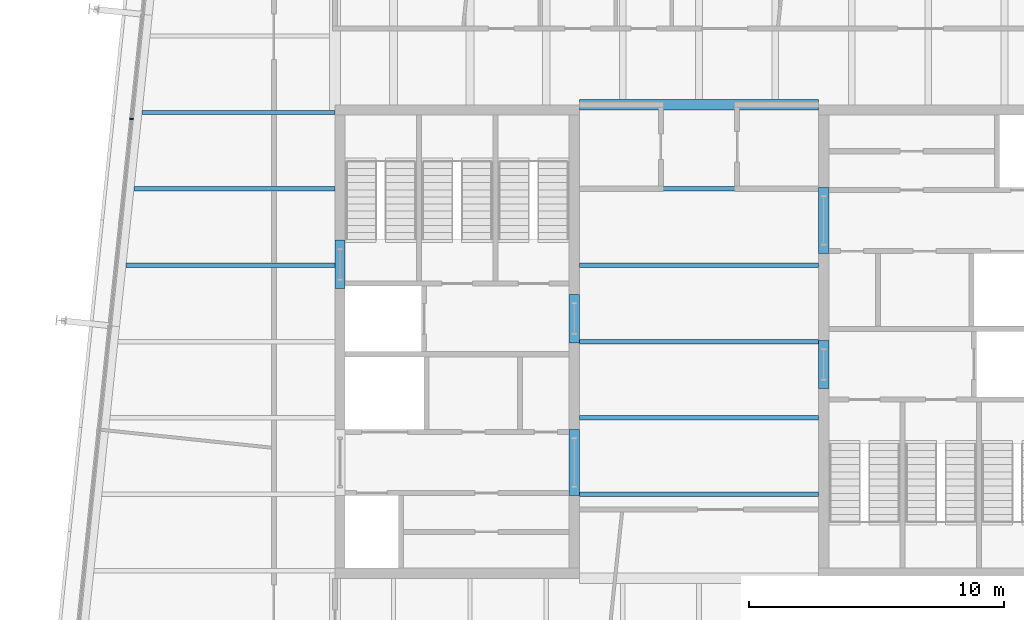
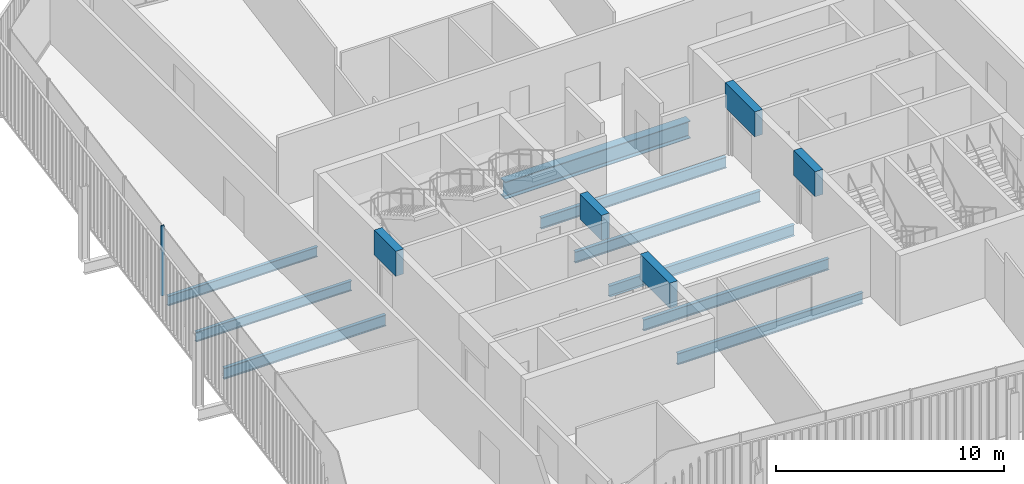
# One storey, part 8 of 20: 14 beams, 1 member, 1 element without a shape of its own.
"""IFC4 building model written with IfcOpenShell, lengths in metres."""

from ifc_helpers import new_model, si_unit, direction, frame, origin, origin_2d, place, context, subcontext, project, spatial, rectangle, i_section, extrude, material, layer, layer_set, material_profile, profile_set, type_object, element, aggregate, save


model = new_model("IFC4")

# Units and contexts
model_context = context("Model", 3, precision=1e-05, world=origin(), true_north=direction((0.0, 1.0)))
body_context = subcontext(model_context, "Body", "Model", "MODEL_VIEW")
ifc_project = project(units=[si_unit("LENGTHUNIT", "METRE"), si_unit("AREAUNIT", "SQUARE_METRE"), si_unit("VOLUMEUNIT", "CUBIC_METRE"), si_unit("PLANEANGLEUNIT", "RADIAN"), si_unit("MASSUNIT", "GRAM", prefix="KILO")], contexts=[model_context])

# Site, building, storey
site_placement = place(None, origin())
site = spatial("IfcSite", under=ifc_project, at=site_placement, CompositionType="ELEMENT")
building_placement = place(site_placement, origin())
building = spatial("IfcBuilding", under=site, at=building_placement, Name="Millrace Tower", CompositionType="ELEMENT")
storey_placement = place(building_placement, frame((0.0, 0.0, 303.300048828125)))
storey = spatial("IfcBuildingStorey", under=building, at=storey_placement, Name="L70", CompositionType="ELEMENT", Elevation=303.300048828125)

# Curtain wall, member
ifc_material_1 = material(Name="Aluminium and glass", Category="aluminium")
ifc_layer = layer(ifc_material_1, 0.14990234375)
ifc_layer_set = layer_set([ifc_layer], Name="Aluminium and glass")
curtain_wall_type = type_object("IfcCurtainWallType", Name="CW-1 office vision curtain wall", PredefinedType="NOTDEFINED", material=ifc_layer_set)
curtain_wall_placement = place(storey_placement, origin())
curtain_wall = element("IfcCurtainWall", 1, at=curtain_wall_placement, inside=storey, type_object=curtain_wall_type, Name="Curtain wall E-F08 L70", PredefinedType="NOTDEFINED")
ifc_material_2 = material(Name="Aluminium", Category="aluminium")
ifc_material_profile_1 = material_profile(ifc_material_2, rectangle(XDim=0.06494140625, YDim=0.14990234375, at=origin_2d()))
ifc_profile_set_1 = profile_set([ifc_material_profile_1], Name="Aluminium")
member_type = type_object("IfcMemberType", Name="CW-1 office vision curtain wall mullion", PredefinedType="MULLION", material=ifc_profile_set_1)
member_placement = place(storey_placement, frame((-22.2890625, 8.742431640625, 0.139892578125), z_axis=(0.0, 0.0, 1.0), x_axis=(-0.104528455196, -0.994521896217, 0.0)))
member = element("IfcMember", 2, at=member_placement, type_object=member_type, Name="CW1 mullion E-F08.5", PredefinedType="MULLION", context=body_context, shape_type="SweptSolid", body=[
    extrude(rectangle(XDim=0.06494140625, YDim=0.14990234375, at=origin_2d()), origin(), (0.0, 0.0, 1.0), 3.760009765625),
])
aggregate(curtain_wall, [member])

# Beams
ifc_material_3 = material(Name="Concrete C60", Category="concrete")
ifc_material_profile_2 = material_profile(ifc_material_3, rectangle(XDim=0.39990234375, YDim=1.340087890625, at=origin_2d()))
ifc_profile_set_2 = profile_set([ifc_material_profile_2], Name="Concrete C60")
beam_type_1 = type_object("IfcBeamType", Name="Coupling beam 400 x 1340 Concrete C60, 1300 opening", PredefinedType="BEAM", material=ifc_profile_set_2)
beam_1_placement = place(storey_placement, frame((-14.10009765625, 2.080078125, 3.070068359375), z_axis=(0.0, 1.0, 0.0), x_axis=(-1.0, 0.0, 0.0)))
element("IfcBeam", 3, at=beam_1_placement, inside=storey, type_object=beam_type_1, Name="Coupling beam W L70", PredefinedType="BEAM", context=body_context, shape_type="SweptSolid", body=[
    extrude(rectangle(XDim=0.39990234375, YDim=1.340087890625, at=origin_2d()), origin(), (0.0, 0.0, 1.0), 1.89990234375),
])
for number, where, z_axis, x_axis, name in (
    (4, (-4.89990234375, -0.050048828125, 3.070068359375), (0.0, 1.0, 0.0), (-1.0, 0.0, 0.0), "Coupling beam W L70"),
    (5, (4.89990234375, 0.050048828125, 3.070068359375), (0.0, -1.0, 0.0), (1.0, 0.0, 0.0), "Coupling beam E L70"),
):
    element("IfcBeam", number, at=place(storey_placement, frame(where, z_axis=z_axis, x_axis=x_axis)), inside=storey, type_object=beam_type_1, Name=name, PredefinedType="BEAM", context=body_context, shape_type="SweptSolid", body=[
        extrude(rectangle(XDim=0.39990234375, YDim=1.340087890625, at=origin_2d()), origin(), (0.0, 0.0, 1.0), 1.900146484375),
    ])
ifc_material_4 = material(Name="Concrete C60", Category="concrete")
ifc_material_profile_3 = material_profile(ifc_material_4, rectangle(XDim=0.39990234375, YDim=1.340087890625, at=origin_2d()))
ifc_profile_set_3 = profile_set([ifc_material_profile_3], Name="Concrete C60")
beam_type_2 = type_object("IfcBeamType", Name="Coupling beam 400 x 1340 Concrete C60, 2000 opening", PredefinedType="BEAM", material=ifc_profile_set_3)
for number, where, z_axis, x_axis, name in (
    (6, (-4.89990234375, -6.050048828125, 3.070068359375), (0.0, 1.0, 0.0), (-1.0, 0.0, 0.0), "Coupling beam W L70"),
    (7, (4.89990234375, 6.050048828125, 3.070068359375), (0.0, -1.0, 0.0), (1.0, 0.0, 0.0), "Coupling beam E L70"),
):
    element("IfcBeam", number, at=place(storey_placement, frame(where, z_axis=z_axis, x_axis=x_axis)), inside=storey, type_object=beam_type_2, Name=name, PredefinedType="BEAM", context=body_context, shape_type="SweptSolid", body=[
        extrude(rectangle(XDim=0.39990234375, YDim=1.340087890625, at=origin_2d()), origin(), (0.0, 0.0, 1.0), 2.60009765625),
    ])
ifc_material_5 = material(Name="Steel ASTM A992 Grade 50", Category="steel")
ifc_material_profile_4 = material_profile(ifc_material_5, i_section(OverallWidth=0.1650390625, OverallDepth=0.52587890625, WebThickness=0.0087890625, FlangeThickness=0.011474609375, FilletRadius=0.0126953125, at=origin_2d()))
ifc_profile_set_4 = profile_set([ifc_material_profile_4], Name="Steel ASTM A992 Grade 50")
beam_type_3 = type_object("IfcBeamType", Name="Floor beam W21x44", PredefinedType="JOIST", material=ifc_profile_set_4)
beam_2_placement = place(storey_placement, frame((-22.19287109375, 6.0, -0.4228515625), z_axis=(1.0, 0.0, 0.0), x_axis=(0.0, 1.0, 0.0)))
element("IfcBeam", 8, at=beam_2_placement, inside=storey, type_object=beam_type_3, Name="BM-E-L70-S1-S021", PredefinedType="JOIST", context=body_context, shape_type="SweptSolid", body=[
    extrude(i_section(OverallWidth=0.1650390625, OverallDepth=0.52587890625, WebThickness=0.0087890625, FlangeThickness=0.011474609375, FilletRadius=0.0126953125, at=origin_2d()), origin(), (0.0, 0.0, 1.0), 7.892822265625),
])
beam_3_placement = place(storey_placement, frame((-21.87744140625, 9.0, -0.4228515625), z_axis=(1.0, 0.0, 0.0), x_axis=(0.0, 1.0, 0.0)))
element("IfcBeam", 9, at=beam_3_placement, inside=storey, type_object=beam_type_3, Name="BM-E-L70-S1-S023", PredefinedType="JOIST", context=body_context, shape_type="SweptSolid", body=[
    extrude(i_section(OverallWidth=0.1650390625, OverallDepth=0.52587890625, WebThickness=0.0087890625, FlangeThickness=0.011474609375, FilletRadius=0.0126953125, at=origin_2d()), origin(), (0.0, 0.0, 1.0), 7.577392578125),
])
ifc_material_6 = material(Name="Steel ASTM A992 Grade 50", Category="steel")
ifc_material_profile_5 = material_profile(ifc_material_6, i_section(OverallWidth=0.177978515625, OverallDepth=0.599365234375, WebThickness=0.010009765625, FlangeThickness=0.012939453125, FilletRadius=0.012939453125, at=origin_2d()))
ifc_profile_set_5 = profile_set([ifc_material_profile_5], Name="Steel ASTM A992 Grade 50")
beam_type_4 = type_object("IfcBeamType", Name="Floor beam W24x55", PredefinedType="JOIST", material=ifc_profile_set_5)
for number, where, z_axis, x_axis, name in (
    (10, (-4.699951171875, -6.0, -0.459716796875), (1.0, 0.0, 0.0), (0.0, 1.0, 0.0), "BM-E-L70-S1-S008"),
    (11, (-4.699951171875, -3.0, -0.459716796875), (1.0, 0.0, 0.0), (0.0, 1.0, 0.0), "BM-E-L70-S1-S011"),
    (12, (-4.699951171875, 0.0, -0.459716796875), (1.0, 0.0, 0.0), (0.0, 1.0, 0.0), "BM-E-L70-S1-S014"),
    (13, (-4.699951171875, 3.0, -0.459716796875), (1.0, 0.0, 0.0), (0.0, 1.0, 0.0), "BM-E-L70-S1-S017"),
):
    element("IfcBeam", number, at=place(storey_placement, frame(where, z_axis=z_axis, x_axis=x_axis)), inside=storey, type_object=beam_type_4, Name=name, PredefinedType="JOIST", context=body_context, shape_type="SweptSolid", body=[
        extrude(i_section(OverallWidth=0.177978515625, OverallDepth=0.599365234375, WebThickness=0.010009765625, FlangeThickness=0.012939453125, FilletRadius=0.012939453125, at=origin_2d()), origin(), (0.0, 0.0, 1.0), 9.39990234375),
    ])
beam_4_placement = place(storey_placement, frame((-22.508056640625, 3.0, -0.459716796875), z_axis=(1.0, 0.0, 0.0), x_axis=(0.0, 1.0, 0.0)))
element("IfcBeam", 14, at=beam_4_placement, inside=storey, type_object=beam_type_4, Name="BM-E-L70-S1-S018", PredefinedType="JOIST", context=body_context, shape_type="SweptSolid", body=[
    extrude(i_section(OverallWidth=0.177978515625, OverallDepth=0.599365234375, WebThickness=0.010009765625, FlangeThickness=0.012939453125, FilletRadius=0.012939453125, at=origin_2d()), origin(), (0.0, 0.0, 1.0), 8.2080078125),
])
beam_5_placement = place(storey_placement, frame((-4.699951171875, 6.0, -0.459716796875), z_axis=(1.0, 0.0, 0.0), x_axis=(0.0, 1.0, 0.0)))
element("IfcBeam", 15, at=beam_5_placement, inside=storey, type_object=beam_type_4, Name="BM-E-L70-S1-S020", PredefinedType="JOIST", context=body_context, shape_type="SweptSolid", body=[
    extrude(i_section(OverallWidth=0.177978515625, OverallDepth=0.599365234375, WebThickness=0.010009765625, FlangeThickness=0.012939453125, FilletRadius=0.012939453125, at=origin_2d()), origin(), (0.0, 0.0, 1.0), 9.39990234375),
])
ifc_material_7 = material(Name="Steel ASTM A992 Grade 50", Category="steel")
ifc_material_profile_6 = material_profile(ifc_material_7, i_section(OverallWidth=0.419189453125, OverallDepth=0.927001953125, WebThickness=0.019287109375, FlangeThickness=0.031982421875, FilletRadius=0.024169921875, at=origin_2d()))
ifc_profile_set_6 = profile_set([ifc_material_profile_6], Name="Steel ASTM A992 Grade 50")
beam_type_5 = type_object("IfcBeamType", Name="Girder short span W36x231", PredefinedType="BEAM", material=ifc_profile_set_6)
beam_6_placement = place(storey_placement, frame((-4.699951171875, 9.300048828125, -0.62353515625), z_axis=(1.0, 0.0, 0.0), x_axis=(0.0, 1.0, 0.0)))
element("IfcBeam", 16, at=beam_6_placement, inside=storey, type_object=beam_type_5, Name="BM-E-L70-S1-G058", PredefinedType="BEAM", context=body_context, shape_type="SweptSolid", body=[
    extrude(i_section(OverallWidth=0.419189453125, OverallDepth=0.927001953125, WebThickness=0.019287109375, FlangeThickness=0.031982421875, FilletRadius=0.024169921875, at=origin_2d()), origin(), (0.0, 0.0, 1.0), 9.39990234375),
])

save(model, "model.ifc")
